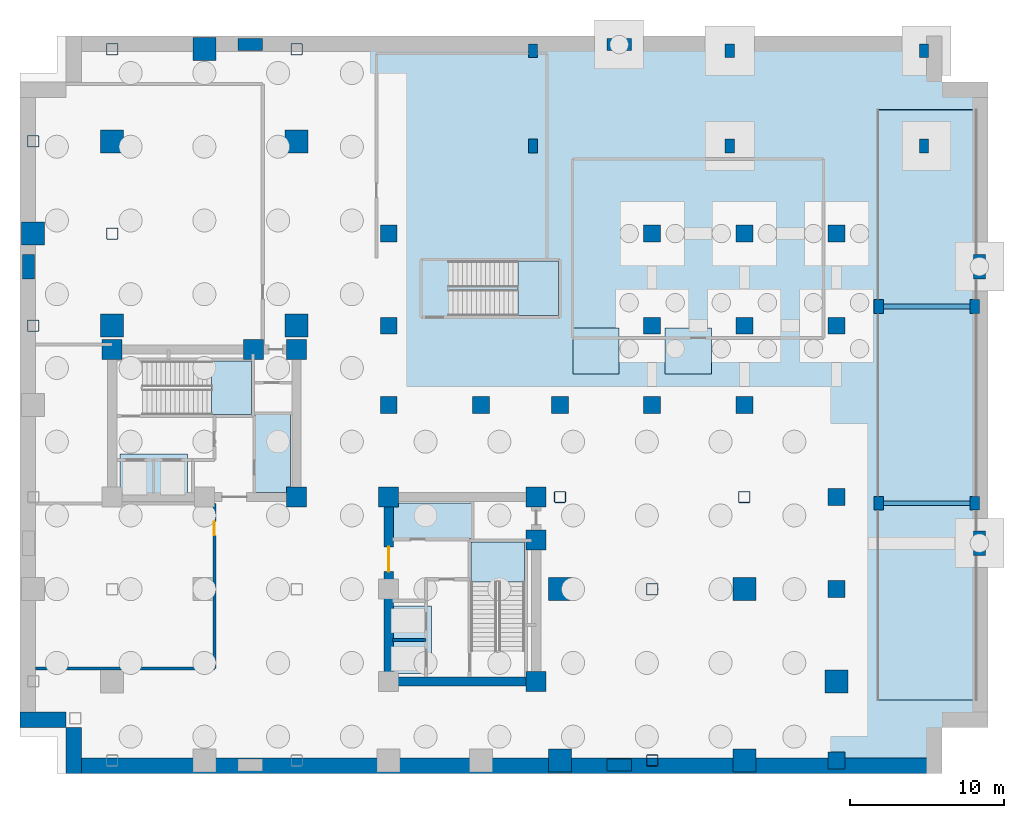
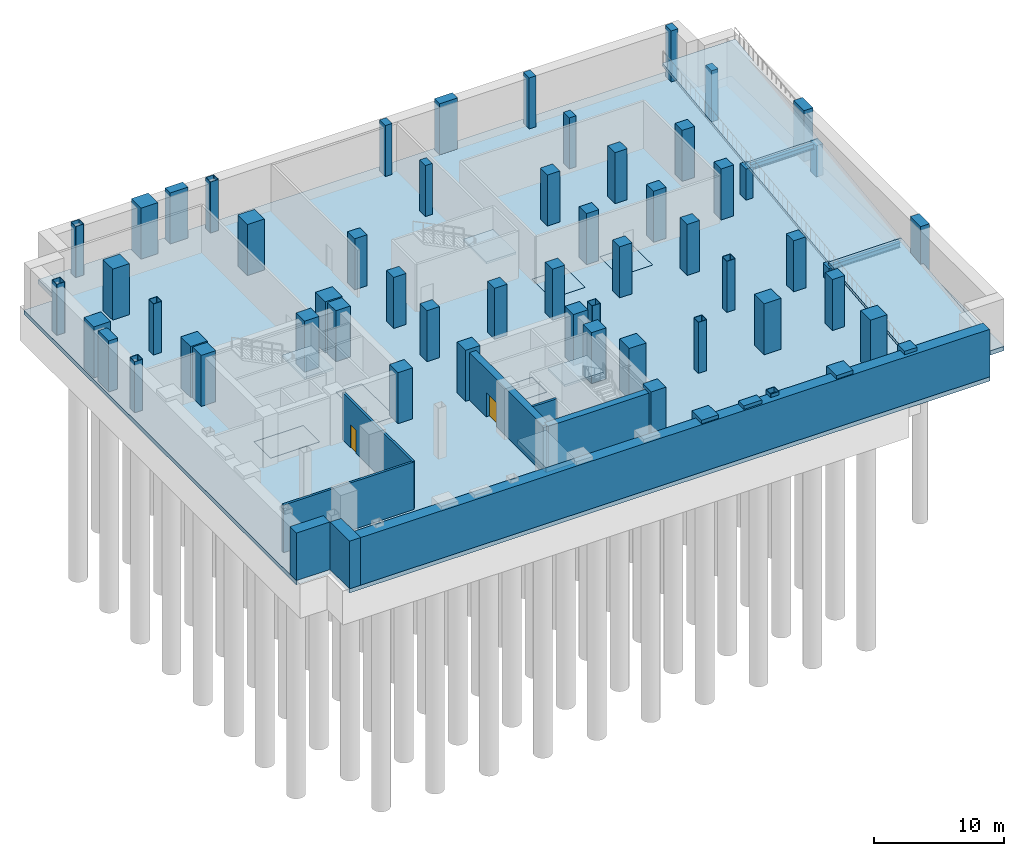
# One storey, part 2 of 7: 60 columns, 13 slabs, 8 walls, 2 beams, 2 doors, 2 openings, 3 elements without a shape of their own.
"""IFC4 building model written with IfcOpenShell, lengths in metres."""

from ifc_helpers import new_model, si_unit, direction, frame, frame_2d, origin, origin_2d, place, context, subcontext, project, spatial, polyline, rectangle, hollow_rectangle, i_section, outline, extrude, material, layer, layer_set, material_profile, profile_set, type_object, element, fill, aggregate, save


model = new_model("IFC4")

# Units and contexts
model_context = context("Model", 3, precision=1e-05, world=origin(), true_north=direction((0.0, 1.0)))
body_context = subcontext(model_context, "Body", "Model", "MODEL_VIEW")
ifc_project = project(units=[si_unit("LENGTHUNIT", "METRE"), si_unit("AREAUNIT", "SQUARE_METRE"), si_unit("VOLUMEUNIT", "CUBIC_METRE"), si_unit("PLANEANGLEUNIT", "RADIAN"), si_unit("MASSUNIT", "GRAM", prefix="KILO"), si_unit("THERMODYNAMICTEMPERATUREUNIT", "KELVIN"), si_unit("POWERUNIT", "WATT")], contexts=[model_context])

# Site, building, storey
site_placement = place(None, origin())
site = spatial("IfcSite", under=ifc_project, at=site_placement, CompositionType="ELEMENT")
building_placement = place(site_placement, origin())
building = spatial("IfcBuilding", under=site, at=building_placement, Name="Svarakhadi Broadcast Tower", CompositionType="ELEMENT")
storey_placement = place(building_placement, frame((0.0, 0.0, -9.60009765625)))
storey = spatial("IfcBuildingStorey", under=building, at=storey_placement, Name="B02", CompositionType="ELEMENT", Elevation=-9.60009765625)

# Columns
ifc_material_1 = material(Name="Steel S460ML (IS 2062 E450BR)", Category="steel")
ifc_material_profile_1 = material_profile(ifc_material_1, hollow_rectangle(XDim=0.75, YDim=0.75, WallThickness=0.034912109375, InnerFilletRadius=0.034912109375, OuterFilletRadius=0.050048828125, at=origin_2d()), Name="BOX 750x750x35")
ifc_profile_set_1 = profile_set([ifc_material_profile_1], Name="Steel S460ML (IS 2062 E450BR)")
column_type_1 = type_object("IfcColumnType", Name="Col_BOX750", PredefinedType="COLUMN", material=ifc_profile_set_1)
for number, where, z_axis, x_axis, name in (
    (1, (0.85009765625, 29.14990234375, 0.0), (0.0, 0.0, 1.0), (1.0, 0.0, 0.0), "B02 Column G07"),
    (2, (0.85009765625, 41.14990234375, 0.0), (0.0, 0.0, 1.0), (1.0, 0.0, 0.0), "B02 Column G09"),
    (3, (6.0, 35.14990234375, 0.0), (0.0, 0.0, 1.0), (1.0, 0.0, 0.0), "B02 Column G15"),
    (4, (6.0, 47.14990234375, 0.0), (0.0, 0.0, 1.0), (1.0, 0.0, 0.0), "B02 Column G17"),
    (5, (18.0, 47.14990234375, 0.0), (0.0, 0.0, 1.0), (1.0, 0.0, 0.0), "B02 Column G31"),
    (6, (35.14990234375, 18.0, 0.0), (0.0, 0.0, 1.0), (1.0, 0.0, 0.0), "B02 Column G41"),
    (7, (41.14990234375, 0.85009765625, 0.0), (0.0, 0.0, 1.0), (1.0, 0.0, 0.0), "B02 Column G43"),
    (8, (41.14990234375, 12.0, 0.0), (0.0, 0.0, 1.0), (1.0, 0.0, 0.0), "B02 Column G45"),
    (9, (47.14990234375, 18.0, 0.0), (0.0, 0.0, 1.0), (1.0, 0.0, 0.0), "B02 Column G53"),
):
    element("IfcColumn", number, at=place(storey_placement, frame(where, z_axis=z_axis, x_axis=x_axis)), inside=storey, type_object=column_type_1, Name=name, PredefinedType="COLUMN", context=body_context, shape_type="SweptSolid", body=[
        extrude(hollow_rectangle(XDim=0.75, YDim=0.75, WallThickness=0.034912109375, InnerFilletRadius=0.034912109375, OuterFilletRadius=0.050048828125, at=origin_2d()), origin(), (0.0, 0.0, 1.0), 4.800048828125),
    ])
ifc_material_2 = material(Name="Concrete C45/55 (IS 456 M55 Marine)", Category="concrete")
ifc_material_profile_2 = material_profile(ifc_material_2, rectangle(XDim=0.800048828125, YDim=1.60009765625, at=origin_2d()), Name="RC 800x1600")
ifc_profile_set_2 = profile_set([ifc_material_profile_2], Name="Concrete C45/55 (IS 456 M55 Marine)")
column_type_2 = type_object("IfcColumnType", Name="Col_Pilaster", PredefinedType="COLUMN", material=ifc_profile_set_2)
for number, where, z_axis, x_axis, name in (
    (10, (0.550048828125, 33.0, 0.0), (0.0, 0.0, 1.0), (1.0, 0.0, 0.0), "B02 Diaphragm Pilaster PIL2"),
    (11, (62.449951171875, 15.0, 0.0), (0.0, 0.0, 1.0), (1.0, 0.0, 0.0), "B02 Diaphragm Pilaster PIL3"),
    (12, (62.449951171875, 33.0, 0.0), (0.0, 0.0, 1.0), (1.0, 0.0, 0.0), "B02 Diaphragm Pilaster PIL4"),
    (13, (39.0, 0.550048828125, 0.0), (0.0, 0.0, 1.0), (0.0, 1.0, 0.0), "B02 Diaphragm Pilaster PIL6"),
    (14, (15.0, 47.449951171875, 0.0), (0.0, 0.0, 1.0), (0.0, 1.0, 0.0), "B02 Diaphragm Pilaster PIL7"),
    (15, (39.0, 47.449951171875, 0.0), (0.0, 0.0, 1.0), (0.0, 1.0, 0.0), "B02 Diaphragm Pilaster PIL8"),
):
    element("IfcColumn", number, at=place(storey_placement, frame(where, z_axis=z_axis, x_axis=x_axis)), inside=storey, type_object=column_type_2, Name=name, PredefinedType="COLUMN", context=body_context, shape_type="SweptSolid", body=[
        extrude(rectangle(XDim=0.800048828125, YDim=1.60009765625, at=origin_2d()), origin(), (0.0, 0.0, 1.0), 4.800048828125),
    ])
ifc_material_3 = material(Name="Concrete C50/60 (IS 456 M60)", Category="concrete")
ifc_material_profile_3 = material_profile(ifc_material_3, rectangle(XDim=1.10009765625, YDim=1.10009765625, at=origin_2d()), Name="RC 1100x1100")
ifc_profile_set_3 = profile_set([ifc_material_profile_3], Name="Concrete C50/60 (IS 456 M60)")
column_type_3 = type_object("IfcColumnType", Name="Col_RC1100", PredefinedType="COLUMN", material=ifc_profile_set_3)
for number, where, z_axis, x_axis, name in (
    (16, (24.0, 24.0, 0.0), (0.0, 0.0, 1.0), (1.0, 0.0, 0.0), "B02 Column G33"),
    (17, (24.0, 29.14990234375, 0.0), (0.0, 0.0, 1.0), (1.0, 0.0, 0.0), "B02 Column G34"),
    (18, (24.0, 35.14990234375, 0.0), (0.0, 0.0, 1.0), (1.0, 0.0, 0.0), "B02 Column G35"),
    (19, (30.0, 24.0, 0.0), (0.0, 0.0, 1.0), (1.0, 0.0, 0.0), "B02 Column G37"),
    (20, (35.14990234375, 24.0, 0.0), (0.0, 0.0, 1.0), (1.0, 0.0, 0.0), "B02 Column G42"),
    (21, (41.14990234375, 24.0, 0.0), (0.0, 0.0, 1.0), (1.0, 0.0, 0.0), "B02 Column G47"),
    (22, (41.14990234375, 29.14990234375, 0.0), (0.0, 0.0, 1.0), (1.0, 0.0, 0.0), "B02 Column G48"),
    (23, (41.14990234375, 35.14990234375, 0.0), (0.0, 0.0, 1.0), (1.0, 0.0, 0.0), "B02 Column G49"),
    (24, (47.14990234375, 24.0, 0.0), (0.0, 0.0, 1.0), (1.0, 0.0, 0.0), "B02 Column G54"),
    (25, (47.14990234375, 29.14990234375, 0.0), (0.0, 0.0, 1.0), (1.0, 0.0, 0.0), "B02 Column G55"),
    (26, (47.14990234375, 35.14990234375, 0.0), (0.0, 0.0, 1.0), (1.0, 0.0, 0.0), "B02 Column G56"),
    (27, (53.14990234375, 0.85009765625, 0.0), (0.0, 0.0, 1.0), (1.0, 0.0, 0.0), "B02 Column G57"),
    (28, (53.14990234375, 29.14990234375, 0.0), (0.0, 0.0, 1.0), (1.0, 0.0, 0.0), "B02 Column G59"),
    (29, (53.14990234375, 35.14990234375, 0.0), (0.0, 0.0, 1.0), (1.0, 0.0, 0.0), "B02 Column G60"),
    (30, (53.14990234375, 12.0, 0.0), (0.0, 0.0, 1.0), (1.0, 0.0, 0.0), "B02 Zone-1 East Stack Column ZT02"),
    (31, (53.14990234375, 18.0, 0.0), (0.0, 0.0, 1.0), (1.0, 0.0, 0.0), "B02 Zone-1 East Stack Column ZT03"),
):
    element("IfcColumn", number, at=place(storey_placement, frame(where, z_axis=z_axis, x_axis=x_axis)), inside=storey, type_object=column_type_3, Name=name, PredefinedType="COLUMN", context=body_context, shape_type="SweptSolid", body=[
        extrude(rectangle(XDim=1.10009765625, YDim=1.10009765625, at=origin_2d()), origin(), (0.0, 0.0, 1.0), 4.800048828125),
    ])
ifc_material_4 = material(Name="Concrete C60/75 (IS 456 M70)", Category="concrete")
ifc_material_profile_4 = material_profile(ifc_material_4, rectangle(XDim=1.300048828125, YDim=1.300048828125, at=origin_2d()), Name="RC 1300x1300")
ifc_profile_set_4 = profile_set([ifc_material_profile_4], Name="Concrete C60/75 (IS 456 M70)")
column_type_4 = type_object("IfcColumnType", Name="Col_RC1300", PredefinedType="COLUMN", material=ifc_profile_set_4)
for number, where, z_axis, x_axis, name in (
    (32, (18.0, 18.0, 0.0), (0.0, 0.0, 1.0), (1.0, 0.0, 0.0), "B02 Column CW3"),
    (33, (6.0, 27.60009765625, 0.0), (0.0, 0.0, 1.0), (1.0, 0.0, 0.0), "B02 Column CW4"),
    (34, (15.199951171875, 27.60009765625, 0.0), (0.0, 0.0, 1.0), (1.0, 0.0, 0.0), "B02 Column CW5"),
    (35, (18.0, 27.60009765625, 0.0), (0.0, 0.0, 1.0), (1.0, 0.0, 0.0), "B02 Column CW6"),
    (36, (24.0, 18.0, 0.0), (0.0, 0.0, 1.0), (1.0, 0.0, 0.0), "B02 Column CE3"),
    (37, (33.60009765625, 6.0, 0.0), (0.0, 0.0, 1.0), (1.0, 0.0, 0.0), "B02 Column CE4"),
    (38, (33.60009765625, 15.199951171875, 0.0), (0.0, 0.0, 1.0), (1.0, 0.0, 0.0), "B02 Column CE5"),
    (39, (33.60009765625, 18.0, 0.0), (0.0, 0.0, 1.0), (1.0, 0.0, 0.0), "B02 Column CE6"),
):
    element("IfcColumn", number, at=place(storey_placement, frame(where, z_axis=z_axis, x_axis=x_axis)), inside=storey, type_object=column_type_4, Name=name, PredefinedType="COLUMN", context=body_context, shape_type="SweptSolid", body=[
        extrude(rectangle(XDim=1.300048828125, YDim=1.300048828125, at=origin_2d()), origin(), (0.0, 0.0, 1.0), 4.800048828125),
    ])
ifc_material_profile_5 = material_profile(ifc_material_4, rectangle(XDim=1.5, YDim=1.5, at=origin_2d()), Name="RC 1500x1500")
ifc_profile_set_5 = profile_set([ifc_material_profile_5], Name="Concrete C60/75 (IS 456 M70)")
column_type_5 = type_object("IfcColumnType", Name="Col_RC1500", PredefinedType="COLUMN", material=ifc_profile_set_5)
for number, where, z_axis, x_axis, name in (
    (40, (0.85009765625, 35.14990234375, 0.0), (0.0, 0.0, 1.0), (1.0, 0.0, 0.0), "B02 Column G08"),
    (41, (6.0, 29.14990234375, 0.0), (0.0, 0.0, 1.0), (1.0, 0.0, 0.0), "B02 Column G14"),
    (42, (6.0, 41.14990234375, 0.0), (0.0, 0.0, 1.0), (1.0, 0.0, 0.0), "B02 Column G16"),
    (43, (12.0, 47.14990234375, 0.0), (0.0, 0.0, 1.0), (1.0, 0.0, 0.0), "B02 Column G24"),
    (44, (18.0, 29.14990234375, 0.0), (0.0, 0.0, 1.0), (1.0, 0.0, 0.0), "B02 Column G28"),
    (45, (18.0, 41.14990234375, 0.0), (0.0, 0.0, 1.0), (1.0, 0.0, 0.0), "B02 Column G30"),
    (46, (35.14990234375, 0.85009765625, 0.0), (0.0, 0.0, 1.0), (1.0, 0.0, 0.0), "B02 Column G38"),
    (47, (35.14990234375, 12.0, 0.0), (0.0, 0.0, 1.0), (1.0, 0.0, 0.0), "B02 Column G40"),
    (48, (47.14990234375, 0.85009765625, 0.0), (0.0, 0.0, 1.0), (1.0, 0.0, 0.0), "B02 Column G50"),
    (49, (47.14990234375, 12.0, 0.0), (0.0, 0.0, 1.0), (1.0, 0.0, 0.0), "B02 Column G52"),
    (50, (53.14990234375, 6.0, 0.0), (0.0, 0.0, 1.0), (1.0, 0.0, 0.0), "B02 Column G58"),
):
    element("IfcColumn", number, at=place(storey_placement, frame(where, z_axis=z_axis, x_axis=x_axis)), inside=storey, type_object=column_type_5, Name=name, PredefinedType="COLUMN", context=body_context, shape_type="SweptSolid", body=[
        extrude(rectangle(XDim=1.5, YDim=1.5, at=origin_2d()), origin(), (0.0, 0.0, 1.0), 4.800048828125),
    ])
ifc_material_profile_6 = material_profile(ifc_material_3, rectangle(XDim=0.60009765625, YDim=0.89990234375, at=origin_2d()), Name="RC 600x900")
ifc_profile_set_6 = profile_set([ifc_material_profile_6], Name="Concrete C50/60 (IS 456 M60)")
column_type_6 = type_object("IfcColumnType", Name="Col_RC600", PredefinedType="COLUMN", material=ifc_profile_set_6)
for number, where, z_axis, x_axis, name in (
    (51, (33.39990234375, 40.85009765625, 0.0), (0.0, 0.0, 1.0), (1.0, 0.0, 0.0), "B02 Vehicle Ramp Support Column RMPC1"),
    (52, (33.39990234375, 47.050048828125, 0.0), (0.0, 0.0, 1.0), (1.0, 0.0, 0.0), "B02 Vehicle Ramp Support Column RMPC2"),
    (53, (46.199951171875, 40.85009765625, 0.0), (0.0, 0.0, 1.0), (1.0, 0.0, 0.0), "B02 Vehicle Ramp Support Column RMPC3"),
    (54, (46.199951171875, 47.050048828125, 0.0), (0.0, 0.0, 1.0), (1.0, 0.0, 0.0), "B02 Vehicle Ramp Support Column RMPC4"),
    (55, (58.85009765625, 40.85009765625, 0.0), (0.0, 0.0, 1.0), (1.0, 0.0, 0.0), "B02 Vehicle Ramp Support Column RMPC5"),
    (56, (58.85009765625, 47.050048828125, 0.0), (0.0, 0.0, 1.0), (1.0, 0.0, 0.0), "B02 Vehicle Ramp Support Column RMPC6"),
):
    element("IfcColumn", number, at=place(storey_placement, frame(where, z_axis=z_axis, x_axis=x_axis)), inside=storey, type_object=column_type_6, Name=name, PredefinedType="COLUMN", context=body_context, shape_type="SweptSolid", body=[
        extrude(rectangle(XDim=0.60009765625, YDim=0.89990234375, at=origin_2d()), origin(), (0.0, 0.0, 1.0), 4.800048828125),
    ])
for number, where, z_axis, x_axis, name in (
    (57, (55.89990234375, 17.60009765625, 0.0), (0.0, 0.0, 1.0), (1.0, 0.0, 0.0), "B02 Vehicle Ramp Pier 1-1"),
    (58, (62.14990234375, 17.60009765625, 0.0), (0.0, 0.0, 1.0), (1.0, 0.0, 0.0), "B02 Vehicle Ramp Pier 1-2"),
):
    element("IfcColumn", number, at=place(storey_placement, frame(where, z_axis=z_axis, x_axis=x_axis)), inside=storey, type_object=column_type_6, Name=name, PredefinedType="COLUMN", context=body_context, shape_type="SweptSolid", body=[
        extrude(rectangle(XDim=0.60009765625, YDim=0.89990234375, at=origin_2d()), origin(), (0.0, 0.0, 1.0), 1.320068359375),
    ])
for number, where, z_axis, x_axis, name in (
    (59, (55.89990234375, 30.39990234375, 0.0), (0.0, 0.0, 1.0), (1.0, 0.0, 0.0), "B02 Vehicle Ramp Pier 2-1"),
    (60, (62.14990234375, 30.39990234375, 0.0), (0.0, 0.0, 1.0), (1.0, 0.0, 0.0), "B02 Vehicle Ramp Pier 2-2"),
):
    element("IfcColumn", number, at=place(storey_placement, frame(where, z_axis=z_axis, x_axis=x_axis)), inside=storey, type_object=column_type_6, Name=name, PredefinedType="COLUMN", context=body_context, shape_type="SweptSolid", body=[
        extrude(rectangle(XDim=0.60009765625, YDim=0.89990234375, at=origin_2d()), origin(), (0.0, 0.0, 1.0), 2.920166015625),
    ])

# Beams
ifc_material_5 = material(Name="Steel S355J2 (IS 2062 E350C)", Category="steel")
ifc_material_profile_7 = material_profile(ifc_material_5, i_section(OverallWidth=0.300048828125, OverallDepth=0.5, WebThickness=0.014404296875, FlangeThickness=0.028076171875, FilletRadius=0.027099609375, at=origin_2d()), Name="WPB 500x300x187")
ifc_profile_set_7 = profile_set([ifc_material_profile_7], Name="Steel S355J2 (IS 2062 E350C)")
beam_type = type_object("IfcBeamType", Name="Girder_WPB500", PredefinedType="USERDEFINED", material=ifc_profile_set_7)
for number, where, z_axis, x_axis, name in (
    (61, (55.89990234375, 17.60009765625, 1.070068359375), (1.0, 0.0, 0.0), (0.0, 1.0, 0.0), "B02 Vehicle Ramp Bearer Girder 1"),
    (62, (55.89990234375, 30.39990234375, 2.670166015625), (1.0, 0.0, 0.0), (0.0, 1.0, 0.0), "B02 Vehicle Ramp Bearer Girder 2"),
):
    element("IfcBeam", number, at=place(storey_placement, frame(where, z_axis=z_axis, x_axis=x_axis)), inside=storey, type_object=beam_type, Name=name, ObjectType="GIRDER", PredefinedType="USERDEFINED", context=body_context, shape_type="SweptSolid", body=[
        extrude(i_section(OverallWidth=0.300048828125, OverallDepth=0.5, WebThickness=0.014404296875, FlangeThickness=0.028076171875, FilletRadius=0.027099609375, at=origin_2d()), origin(), (0.0, 0.0, 1.0), 6.25),
    ])

# Slabs
ifc_layer_1 = layer(ifc_material_2, 0.39990234375)
ifc_layer_set_1 = layer_set([ifc_layer_1], Name="Concrete C45/55 (IS 456 M55 Marine)")
slab_type_1 = type_object("IfcSlabType", Name="Slab_Base_B02", PredefinedType="BASESLAB", material=ifc_layer_set_1)
slab_1_placement = place(storey_placement, frame((0.0, 0.0, -0.39990234375)))
element("IfcSlab", 63, at=slab_1_placement, inside=storey, type_object=slab_type_1, Name="B02 Substructure Base Slab", PredefinedType="BASESLAB", context=body_context, shape_type="SweptSolid", body=[
    extrude(outline(polyline([(3.0, 0.0), (60.0, 0.0), (60.0, 3.0), (63.0, 3.0), (63.0, 45.0), (60.0, 45.0), (60.0, 48.0), (3.0, 48.0), (3.0, 45.0), (0.0, 45.0), (0.0, 3.0), (3.0, 3.0), (3.0, 0.0)]), holes=[polyline([(6.5, 18.25), (10.89990234375, 18.25), (10.89990234375, 20.800048828125), (6.5, 20.800048828125), (6.5, 18.25)]), polyline([(15.300048828125, 18.300048828125), (17.60009765625, 18.300048828125), (17.60009765625, 23.39990234375), (15.300048828125, 23.39990234375), (15.300048828125, 18.300048828125)]), polyline([(24.25, 6.5), (26.800048828125, 6.5), (26.800048828125, 10.89990234375), (24.25, 10.89990234375), (24.25, 6.5)]), polyline([(24.300048828125, 15.300048828125), (29.39990234375, 15.300048828125), (29.39990234375, 17.60009765625), (24.300048828125, 17.60009765625), (24.300048828125, 15.300048828125)]), polyline([(36.0, 26.0), (39.0, 26.0), (39.0, 29.0), (36.0, 29.0), (36.0, 26.0)]), polyline([(42.0, 26.0), (45.0, 26.0), (45.0, 29.0), (42.0, 29.0), (42.0, 26.0)])]), origin(), (0.0, 0.0, 1.0), 0.39990234375),
])
ifc_layer_2 = layer(ifc_material_2, 0.449951171875)
ifc_layer_set_2 = layer_set([ifc_layer_2], Name="Concrete C45/55 (IS 456 M55 Marine)")
slab_type_2 = type_object("IfcSlabType", Name="Slab_Pit_B02", PredefinedType="BASESLAB", material=ifc_layer_set_2)
slab_2_placement = place(storey_placement, frame((0.0, 0.0, -0.449951171875)))
element("IfcSlab", 64, at=slab_2_placement, inside=storey, type_object=slab_type_2, Name="B02 Lift and Sump Pit Base Slab PIT-W1", PredefinedType="BASESLAB", context=body_context, shape_type="SweptSolid", body=[
    extrude(outline(polyline([(6.5, 18.25), (10.89990234375, 18.25), (10.89990234375, 20.800048828125), (6.5, 20.800048828125), (6.5, 18.25)])), origin(), (0.0, 0.0, 1.0), 0.449951171875),
])
slab_3_placement = place(storey_placement, frame((0.0, 0.0, -0.449951171875)))
element("IfcSlab", 65, at=slab_3_placement, inside=storey, type_object=slab_type_2, Name="B02 Lift and Sump Pit Base Slab PIT-W2", PredefinedType="BASESLAB", context=body_context, shape_type="SweptSolid", body=[
    extrude(outline(polyline([(15.300048828125, 18.300048828125), (17.60009765625, 18.300048828125), (17.60009765625, 23.39990234375), (15.300048828125, 23.39990234375), (15.300048828125, 18.300048828125)])), origin(), (0.0, 0.0, 1.0), 0.449951171875),
])
slab_4_placement = place(storey_placement, frame((0.0, 0.0, -0.449951171875)))
element("IfcSlab", 66, at=slab_4_placement, inside=storey, type_object=slab_type_2, Name="B02 Lift and Sump Pit Base Slab PIT-E1", PredefinedType="BASESLAB", context=body_context, shape_type="SweptSolid", body=[
    extrude(outline(polyline([(24.25, 6.5), (26.800048828125, 6.5), (26.800048828125, 10.89990234375), (24.25, 10.89990234375), (24.25, 6.5)])), origin(), (0.0, 0.0, 1.0), 0.449951171875),
])
slab_5_placement = place(storey_placement, frame((0.0, 0.0, -0.449951171875)))
element("IfcSlab", 67, at=slab_5_placement, inside=storey, type_object=slab_type_2, Name="B02 Lift and Sump Pit Base Slab PIT-E2", PredefinedType="BASESLAB", context=body_context, shape_type="SweptSolid", body=[
    extrude(outline(polyline([(24.300048828125, 15.300048828125), (29.39990234375, 15.300048828125), (29.39990234375, 17.60009765625), (24.300048828125, 17.60009765625), (24.300048828125, 15.300048828125)])), origin(), (0.0, 0.0, 1.0), 0.449951171875),
])
slab_6_placement = place(storey_placement, frame((0.0, 0.0, -0.449951171875)))
element("IfcSlab", 68, at=slab_6_placement, inside=storey, type_object=slab_type_2, Name="B02 Lift and Sump Pit Base Slab PIT-SUMP1", PredefinedType="BASESLAB", context=body_context, shape_type="SweptSolid", body=[
    extrude(outline(polyline([(36.0, 26.0), (39.0, 26.0), (39.0, 29.0), (36.0, 29.0), (36.0, 26.0)])), origin(), (0.0, 0.0, 1.0), 0.449951171875),
])
slab_7_placement = place(storey_placement, frame((0.0, 0.0, -0.449951171875)))
element("IfcSlab", 69, at=slab_7_placement, inside=storey, type_object=slab_type_2, Name="B02 Lift and Sump Pit Base Slab PIT-SUMP2", PredefinedType="BASESLAB", context=body_context, shape_type="SweptSolid", body=[
    extrude(outline(polyline([(42.0, 26.0), (45.0, 26.0), (45.0, 29.0), (42.0, 29.0), (42.0, 26.0)])), origin(), (0.0, 0.0, 1.0), 0.449951171875),
])

# Stair, slab
ifc_material_6 = material(Name="Concrete C40/50 (IS 456 M50)", Category="concrete")
stair_type_1 = type_object("IfcStairType", Name="Stair_Exit_Core", PredefinedType="HALF_TURN_STAIR", material=ifc_material_6)
stair_1_placement = place(storey_placement, origin())
stair_1 = element("IfcStair", 70, at=stair_1_placement, inside=storey, type_object=stair_type_1, Name="B02 West Core Protected Exit Stair ST-01", PredefinedType="HALF_TURN_STAIR")
ifc_layer_3 = layer(ifc_material_6, 0.199951171875)
ifc_layer_set_3 = layer_set([ifc_layer_3], Name="Concrete C40/50 (IS 456 M50)")
slab_type_3 = type_object("IfcSlabType", Name="Slab_Stair_Land", PredefinedType="LANDING", material=ifc_layer_set_3)
slab_8_placement = place(storey_placement, frame((0.0, 0.0, 2.2001953125)))
slab_8 = element("IfcSlab", 71, at=slab_8_placement, type_object=slab_type_3, Name="ST-01 landing 1", PredefinedType="LANDING", context=body_context, shape_type="SweptSolid", body=[
    extrude(outline(polyline([(12.47998046875, 23.360107421875), (15.080078125, 23.360107421875), (15.080078125, 26.840087890625), (12.47998046875, 26.840087890625), (12.47998046875, 23.360107421875)])), origin(), (0.0, 0.0, 1.0), 0.199951171875),
])
aggregate(stair_1, [slab_8])

stair_2_placement = place(storey_placement, origin())
stair_2 = element("IfcStair", 72, at=stair_2_placement, inside=storey, type_object=stair_type_1, Name="B02 East Core Protected Exit Stair ST-02", PredefinedType="HALF_TURN_STAIR")
slab_9_placement = place(storey_placement, frame((0.0, 0.0, 2.2001953125)))
slab_9 = element("IfcSlab", 73, at=slab_9_placement, type_object=slab_type_3, Name="ST-02 landing 1", PredefinedType="LANDING", context=body_context, shape_type="SweptSolid", body=[
    extrude(outline(polyline([(32.840087890625, 12.47998046875), (32.840087890625, 15.080078125), (29.360107421875, 15.080078125), (29.360107421875, 12.47998046875), (32.840087890625, 12.47998046875)])), origin(), (0.0, 0.0, 1.0), 0.199951171875),
])
aggregate(stair_2, [slab_9])

stair_type_2 = type_object("IfcStairType", Name="Stair_Exit_Pod", PredefinedType="HALF_TURN_STAIR", material=ifc_material_6)
stair_3_placement = place(storey_placement, origin())
stair_3 = element("IfcStair", 74, at=stair_3_placement, inside=storey, type_object=stair_type_2, Name="B02 Podium Concourse Broadcast Exit Stair ST-03", PredefinedType="HALF_TURN_STAIR")
slab_10_placement = place(storey_placement, frame((0.0, 0.0, 2.2001953125)))
slab_10 = element("IfcSlab", 75, at=slab_10_placement, type_object=slab_type_3, Name="ST-03 landing 1", PredefinedType="LANDING", context=body_context, shape_type="SweptSolid", body=[
    extrude(outline(polyline([(32.39990234375, 29.800048828125), (35.050048828125, 29.800048828125), (35.050048828125, 33.360107421875), (32.39990234375, 33.360107421875), (32.39990234375, 29.800048828125)])), origin(), (0.0, 0.0, 1.0), 0.199951171875),
])
aggregate(stair_3, [slab_10])

# Slabs
ifc_layer_4 = layer(ifc_material_2, 0.280029296875)
ifc_layer_set_4 = layer_set([ifc_layer_4], Name="Concrete C45/55 (IS 456 M55 Marine)")
slab_type_4 = type_object("IfcSlabType", Name="Slab_VehRamp", PredefinedType="FLOOR", material=ifc_layer_set_4)
slab_11_placement = place(storey_placement, frame((55.800048828125, 4.800048828125, 0.281982421875), z_axis=(0.0, -0.102435661043, 0.994739631937), x_axis=(1.0, 0.0, 0.0)))
element("IfcSlab", 76, at=slab_11_placement, inside=storey, type_object=slab_type_4, Name="Car Park Vehicle Ramp R1 Flight B02-B01 Segment 1", PredefinedType="FLOOR", context=body_context, shape_type="SweptSolid", body=[
    extrude(outline(polyline([(0.0, 0.0), (6.5, 0.0), (6.5, 12.867737865432124), (0.0, 12.867737865432124), (0.0, 0.0)])), origin(), (0.0, 0.0, -1.0), 0.280029296875),
])
slab_12_placement = place(storey_placement, frame((55.800048828125, 17.60009765625, 1.60009765625), z_axis=(0.0, -0.124044052228, 0.992276711964), x_axis=(1.0, 0.0, 0.0)))
element("IfcSlab", 77, at=slab_12_placement, inside=storey, type_object=slab_type_4, Name="Car Park Vehicle Ramp R1 Flight B02-B01 Segment 2", PredefinedType="FLOOR", context=body_context, shape_type="SweptSolid", body=[
    extrude(outline(polyline([(0.0, 0.0), (6.5, 0.0), (6.5, 12.899430706340636), (0.0, 12.899430706340636), (0.0, 0.0)])), origin(), (0.0, 0.0, -1.0), 0.280029296875),
])
slab_13_placement = place(storey_placement, frame((55.800048828125, 30.39990234375, 3.2001953125), z_axis=(0.0, -0.124023087717, 0.992279332503), x_axis=(1.0, 0.0, 0.0)))
element("IfcSlab", 78, at=slab_13_placement, inside=storey, type_object=slab_type_4, Name="Car Park Vehicle Ramp R1 Flight B02-B01 Segment 3", PredefinedType="FLOOR", context=body_context, shape_type="SweptSolid", body=[
    extrude(outline(polyline([(0.0, 0.0), (6.5, 0.0), (6.5, 12.899642680083888), (0.0, 12.899642680083888), (0.0, 0.0)])), origin(), (0.0, 0.0, -1.0), 0.280029296875),
])

# Walls
ifc_layer_5 = layer(ifc_material_2, 1.0)
ifc_layer_set_5 = layer_set([ifc_layer_5], Name="Concrete C45/55 (IS 456 M55 Marine)")
wall_type_1 = type_object("IfcWallType", Name="Wall_Diaphragm_1000", PredefinedType="USERDEFINED", material=ifc_layer_set_5)
wall_1_placement = place(storey_placement, frame((3.0, 3.5, 0.0), z_axis=(0.0, 0.0, 1.0), x_axis=(-1.0, 0.0, 0.0)))
element("IfcWall", 79, at=wall_1_placement, inside=storey, type_object=wall_type_1, Name="B02 Perimeter Slurry Diaphragm Retaining Wall 01", ObjectType="RETAININGWALL", PredefinedType="USERDEFINED", context=body_context, shape_type="SweptSolid", body=[
    extrude(rectangle(XDim=3.0, YDim=1.0, at=frame_2d((1.5, 0.0))), origin(), (0.0, 0.0, 1.0), 4.47509765625),
])
wall_2_placement = place(storey_placement, frame((60.0, 0.5, 0.0), z_axis=(0.0, 0.0, 1.0), x_axis=(-1.0, 0.0, 0.0)))
element("IfcWall", 80, at=wall_2_placement, inside=storey, type_object=wall_type_1, Name="B02 Perimeter Slurry Diaphragm Retaining Wall 11", ObjectType="RETAININGWALL", PredefinedType="USERDEFINED", context=body_context, shape_type="SweptSolid", body=[
    extrude(rectangle(XDim=57.0, YDim=1.0, at=frame_2d((28.5, 0.0))), origin(), (0.0, 0.0, 1.0), 4.47509765625),
])
wall_3_placement = place(storey_placement, frame((3.5, 0.0, 0.0), z_axis=(0.0, 0.0, 1.0), x_axis=(0.0, 1.0, 0.0)))
element("IfcWall", 81, at=wall_3_placement, inside=storey, type_object=wall_type_1, Name="B02 Perimeter Slurry Diaphragm Retaining Wall 12", ObjectType="RETAININGWALL", PredefinedType="USERDEFINED", context=body_context, shape_type="SweptSolid", body=[
    extrude(rectangle(XDim=3.0, YDim=1.0, at=frame_2d((1.5, 0.0))), origin(), (0.0, 0.0, 1.0), 4.47509765625),
])
ifc_layer_6 = layer(ifc_material_6, 0.199951171875)
ifc_layer_set_6 = layer_set([ifc_layer_6], Name="Concrete C40/50 (IS 456 M50)")
wall_type_2 = type_object("IfcWallType", Name="Wall_Fire_200", PredefinedType="SOLIDWALL", material=ifc_layer_set_6)
wall_4_placement = place(storey_placement, frame((1.02001953125, 6.85009765625, 0.0), z_axis=(0.0, 0.0, 1.0), x_axis=(1.0, 0.0, 0.0)))
element("IfcWall", 82, at=wall_4_placement, inside=storey, type_object=wall_type_2, Name="B02 Fire Water Storage Tank Plant Room Wall", PredefinedType="SOLIDWALL", context=body_context, shape_type="SweptSolid", body=[
    extrude(rectangle(XDim=11.6298828125, YDim=0.199951171875, at=frame_2d((5.81494140625, 0.0))), origin(), (0.0, 0.0, 1.0), 4.47509765625),
])

# Wall, opening, door
wall_5_placement = place(storey_placement, frame((12.64990234375, 6.85009765625, 0.0), z_axis=(0.0, 0.0, 1.0), x_axis=(0.0, 1.0, 0.0)))
wall_5 = element("IfcWall", 83, at=wall_5_placement, inside=storey, type_object=wall_type_2, Name="B02 Fire Water Storage Tank Plant Room Wall", PredefinedType="SOLIDWALL", context=body_context, shape_type="SweptSolid", body=[
    extrude(rectangle(XDim=10.72998046875, YDim=0.199951171875, at=frame_2d((5.364990234375, 0.0))), origin(), (0.0, 0.0, 1.0), 4.47509765625),
])
opening_1_placement = place(wall_5_placement, frame((8.64990234375, 0.0, 0.0)))
opening_1 = element("IfcOpeningElement", 84, at=opening_1_placement, cuts=wall_5, Name="Opening D-03", PredefinedType="OPENING", context=body_context, shape_type="SweptSolid", body=[
    extrude(rectangle(XDim=0.89990234375, YDim=2.14990234375, at=frame_2d((0.449951171875, 1.074951171875))), frame((0.0, 0.10986328125, 0.0), z_axis=(0.0, -1.0, 0.0), x_axis=(1.0, 0.0, 0.0)), (0.0, 0.0, 1.0), 0.219970703125),
])
ifc_material_7 = material(Name="Galvanised Powder-Coated Fire-Rated Steel Leaf", Category="steel")
door_type_1 = type_object("IfcDoorType", Name="Door_Fire_D03", OperationType="SINGLE_SWING_LEFT", PredefinedType="DOOR", material=ifc_material_7)
door_1_placement = place(opening_1_placement, origin())
door_1 = element("IfcDoor", 85, at=door_1_placement, inside=storey, type_object=door_type_1, Name="B02 Fire Water Storage Tank Plant Room Door", OperationType="SINGLE_SWING_LEFT", OverallHeight=2.14990234375, OverallWidth=0.89990234375, PredefinedType="DOOR", context=body_context, shape_type="SweptSolid", body=[
    extrude(rectangle(XDim=0.89990234375, YDim=2.14990234375, at=frame_2d((0.449951171875, 1.074951171875))), frame((0.0, 0.02490234375, 0.0), z_axis=(0.0, -1.0, 0.0), x_axis=(1.0, 0.0, 0.0)), (0.0, 0.0, 1.0), 0.050048828125),
])
fill(opening_1, door_1)

# Walls
ifc_layer_7 = layer(ifc_material_3, 0.199951171875)
ifc_layer_set_7 = layer_set([ifc_layer_7], Name="Concrete C50/60 (IS 456 M60)")
wall_type_3 = type_object("IfcWallType", Name="Wall_Shear_200", PredefinedType="SHEAR", material=ifc_layer_set_7)
wall_6_placement = place(storey_placement, frame((24.25, 8.699951171875, 0.0), z_axis=(0.0, 0.0, 1.0), x_axis=(1.0, 0.0, 0.0)))
element("IfcWall", 86, at=wall_6_placement, inside=storey, type_object=wall_type_3, Name="B02 Firefighting Lift LF-03/04 Divider Wall", PredefinedType="SHEAR", context=body_context, shape_type="SweptSolid", body=[
    extrude(rectangle(XDim=2.169921875, YDim=0.199951171875, at=frame_2d((1.0849609375, 0.0))), origin(), (0.0, 0.0, 1.0), 4.47509765625),
])
ifc_layer_8 = layer(ifc_material_4, 0.60009765625)
ifc_layer_set_8 = layer_set([ifc_layer_8], Name="Concrete C60/75 (IS 456 M70)")
wall_type_4 = type_object("IfcWallType", Name="Wall_Shear_600", PredefinedType="SHEAR", material=ifc_layer_set_8)
wall_7_placement = place(storey_placement, frame((24.0, 6.0, 0.0), z_axis=(0.0, 0.0, 1.0), x_axis=(1.0, 0.0, 0.0)))
element("IfcWall", 87, at=wall_7_placement, inside=storey, type_object=wall_type_4, Name="B02 East Core South Shear Wall", PredefinedType="SHEAR", context=body_context, shape_type="SweptSolid", body=[
    extrude(rectangle(XDim=9.60009765625, YDim=0.60009765625, at=frame_2d((4.800048828125, 0.0))), origin(), (0.0, 0.0, 1.0), 4.47509765625),
])

# Wall, opening, door
wall_8_placement = place(storey_placement, frame((24.0, 6.0, 0.0), z_axis=(0.0, 0.0, 1.0), x_axis=(0.0, 1.0, 0.0)))
wall_8 = element("IfcWall", 88, at=wall_8_placement, inside=storey, type_object=wall_type_4, Name="B02 East Core West Shear Wall", PredefinedType="SHEAR", context=body_context, shape_type="SweptSolid", body=[
    extrude(rectangle(XDim=12.0, YDim=0.60009765625, at=frame_2d((6.0, 0.0))), origin(), (0.0, 0.0, 1.0), 4.47509765625),
])
opening_2_placement = place(wall_8_placement, frame((7.14990234375, 0.0, 0.0)))
opening_2 = element("IfcOpeningElement", 89, at=opening_2_placement, cuts=wall_8, Name="Opening D-05", PredefinedType="OPENING", context=body_context, shape_type="SweptSolid", body=[
    extrude(rectangle(XDim=1.60009765625, YDim=2.300048828125, at=frame_2d((0.800048828125, 1.14990234375))), frame((0.0, 0.31005859375, 0.0), z_axis=(0.0, -1.0, 0.0), x_axis=(1.0, 0.0, 0.0)), (0.0, 0.0, 1.0), 0.6201171875),
])
ifc_material_8 = material(Name="Anodised Bronze Aluminium AA 6063-T6", Category="aluminium")
door_type_2 = type_object("IfcDoorType", Name="Door_Lobby_D05", OperationType="DOUBLE_DOOR_SLIDING", PredefinedType="DOOR", material=ifc_material_8)
door_2_placement = place(opening_2_placement, origin())
door_2 = element("IfcDoor", 90, at=door_2_placement, inside=storey, type_object=door_type_2, Name="B02 East Core Passenger Lift Lobby Entrance Door", OperationType="DOUBLE_DOOR_SLIDING", OverallHeight=2.300048828125, OverallWidth=1.60009765625, PredefinedType="DOOR", context=body_context, shape_type="SweptSolid", body=[
    extrude(rectangle(XDim=1.60009765625, YDim=2.300048828125, at=frame_2d((0.800048828125, 1.14990234375))), frame((0.0, 0.02490234375, 0.0), z_axis=(0.0, -1.0, 0.0), x_axis=(1.0, 0.0, 0.0)), (0.0, 0.0, 1.0), 0.050048828125),
])
fill(opening_2, door_2)

save(model, "model.ifc")
